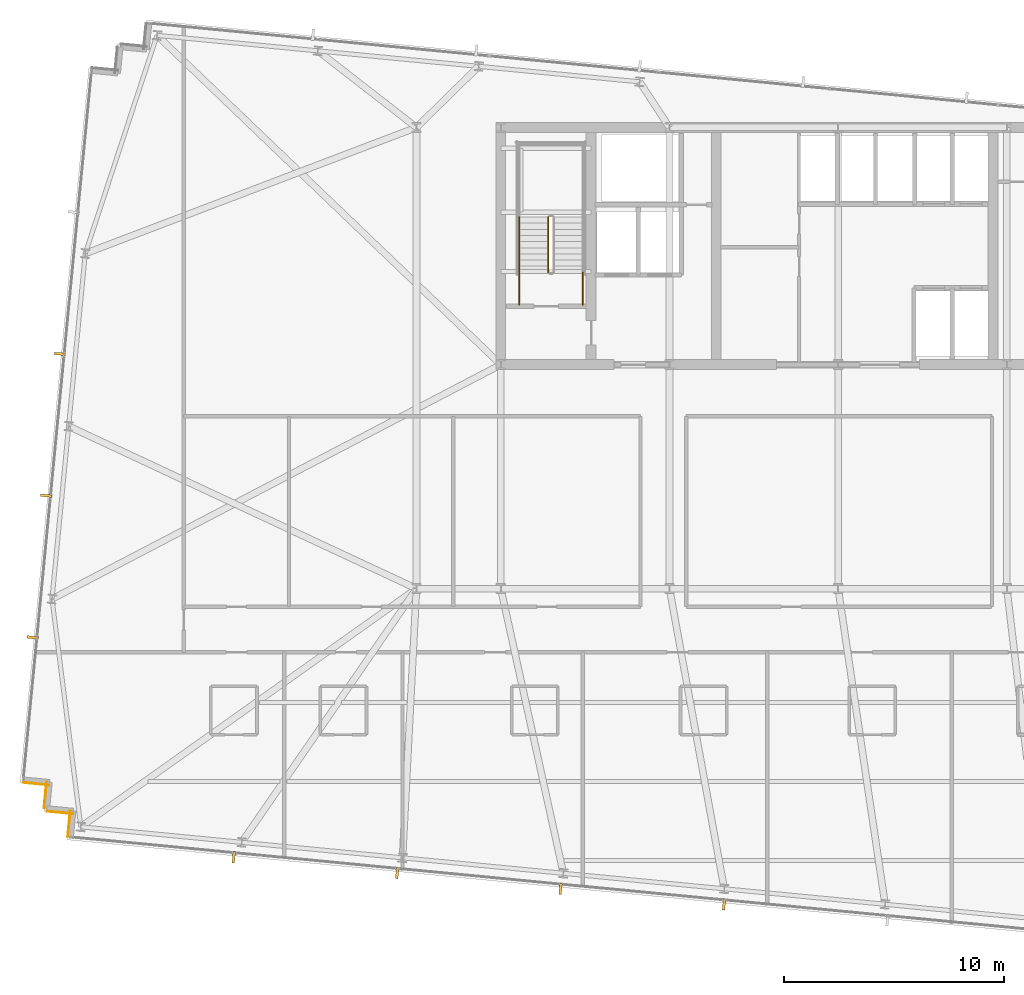
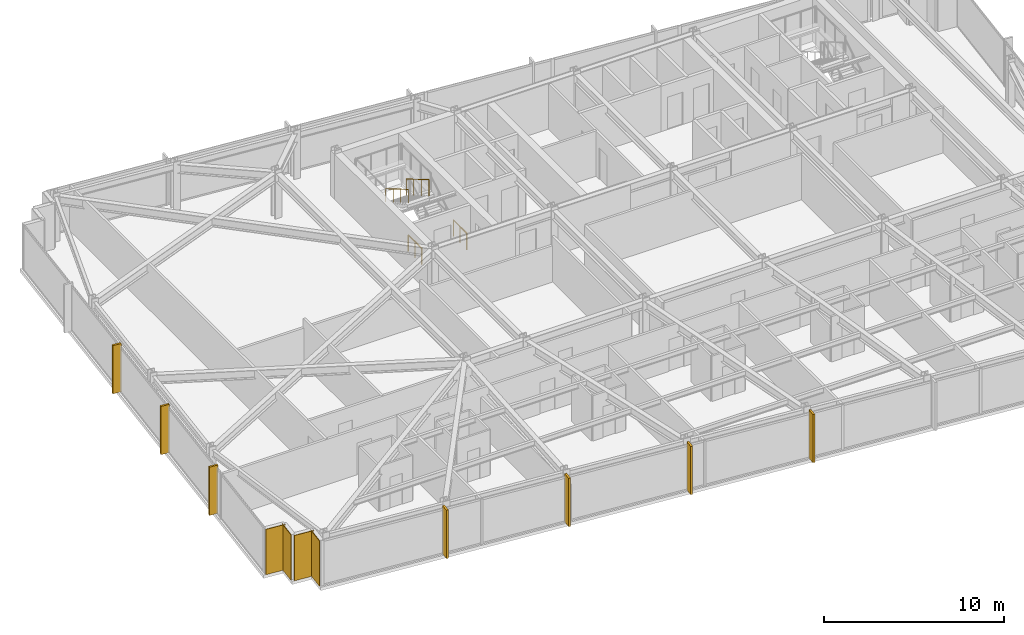
# One storey, part 33 of 37: 7 shading devices, 4 coverings, 4 railings.
"""IFC4 building model written with IfcOpenShell, lengths in metres."""

from ifc_helpers import new_model, si_unit, direction, frame, frame_2d, origin, origin_2d, place, context, subcontext, project, spatial, rectangle, circle, extrude, material, layer, layer_set, type_object, element, save


model = new_model("IFC4")

# Units and contexts
model_context = context("Model", 3, precision=1e-05, world=origin(), true_north=direction((0.0, 1.0)))
body_context = subcontext(model_context, "Body", "Model", "MODEL_VIEW")
ifc_project = project(units=[si_unit("LENGTHUNIT", "METRE"), si_unit("AREAUNIT", "SQUARE_METRE"), si_unit("VOLUMEUNIT", "CUBIC_METRE"), si_unit("PLANEANGLEUNIT", "RADIAN"), si_unit("MASSUNIT", "GRAM", prefix="KILO")], contexts=[model_context])

# Site, building, storey
site_placement = place(None, origin())
site = spatial("IfcSite", under=ifc_project, at=site_placement, CompositionType="ELEMENT")
building_placement = place(site_placement, origin())
building = spatial("IfcBuilding", under=site, at=building_placement, Name="Yelkora Congress Tower", CompositionType="ELEMENT")
storey_placement = place(building_placement, frame((0.0, 0.0, 168.800048828125)))
storey = spatial("IfcBuildingStorey", under=building, at=storey_placement, Name="L46", CompositionType="ELEMENT", Elevation=168.800048828125)

# Coverings
ifc_material_1 = material(Name="Anatolian bush-hammered limestone", Category="masonry")
ifc_layer_1 = layer(ifc_material_1, 0.0400390625)
ifc_layer_set_1 = layer_set([ifc_layer_1], Name="Anatolian bush-hammered limestone")
covering_type = type_object("IfcCoveringType", Name="COV-CLAD-SPANDREL-40", PredefinedType="CLADDING", material=ifc_layer_set_1)
covering_1_placement = place(storey_placement, frame((3.327880859375, 13.90185546875, 0.0), z_axis=(0.0, 0.0, 1.0), x_axis=(0.095817067274, 0.995398960025, 0.0)))
element("IfcCovering", 1, at=covering_1_placement, inside=storey, type_object=covering_type, Name="L46 Anatolian Limestone Cladding EW-L46-SR01", PredefinedType="CLADDING", context=body_context, shape_type="SweptSolid", body=[
    extrude(rectangle(XDim=1.2001953125, YDim=0.0400390625, at=frame_2d((0.60009765625, 0.0))), origin(), (0.0, 0.0, 1.0), 3.079833984375),
])
covering_2_placement = place(storey_placement, frame((3.564208984375, 14.94921875, 0.0), z_axis=(0.0, 0.0, 1.0), x_axis=(-0.995397091755, 0.095836473879, 0.0)))
element("IfcCovering", 2, at=covering_2_placement, inside=storey, type_object=covering_type, Name="L46 Anatolian Limestone Cladding EW-L46-SR02", PredefinedType="CLADDING", context=body_context, shape_type="SweptSolid", body=[
    extrude(rectangle(XDim=1.199951171875, YDim=0.0400390625, at=frame_2d((0.60009765625, 0.0))), origin(), (0.0, 0.0, 1.0), 3.079833984375),
])
for number, where, z_axis, x_axis, name in (
    (3, (2.248291015625, 15.21142578125, 0.0), (0.0, 0.0, 1.0), (0.095817067274, 0.995398960025, 0.0), "L46 Anatolian Limestone Cladding EW-L46-SR03"),
    (4, (2.48486328125, 16.258544921875, 0.0), (0.0, 0.0, 1.0), (-0.995398960025, 0.095817067274, 0.0), "L46 Anatolian Limestone Cladding EW-L46-SR04"),
):
    element("IfcCovering", number, at=place(storey_placement, frame(where, z_axis=z_axis, x_axis=x_axis)), inside=storey, type_object=covering_type, Name=name, PredefinedType="CLADDING", context=body_context, shape_type="SweptSolid", body=[
        extrude(rectangle(XDim=1.2001953125, YDim=0.0400390625, at=frame_2d((0.60009765625, 0.0))), origin(), (0.0, 0.0, 1.0), 3.079833984375),
    ])

# Railings
ifc_material_2 = material(Name="Painted galvanised steel stair well guard with vertical infill", Category="steel")
ifc_layer_2 = layer(ifc_material_2, 0.06005859375)
ifc_layer_set_2 = layer_set([ifc_layer_2], Name="Painted galvanised steel stair well guard with vertical infill")
railing_type_1 = type_object("IfcRailingType", Name="RAIL-STAIR-GUARD-1120", PredefinedType="GUARDRAIL", material=ifc_layer_set_2)
railing_1_placement = place(storey_placement, frame((25.18994140625, 42.1201171875, 1.81494140625)))
element("IfcRailing", 5, at=railing_1_placement, inside=storey, type_object=railing_type_1, Name="ST-01 L46 Stair Well Guardrail 6", PredefinedType="GUARDRAIL", context=body_context, shape_type="SweptSolid", body=[
    extrude(circle(Radius=0.02392578125, at=origin_2d()), frame((0.0, 0.0, 1.09619140625), z_axis=(0.0, -0.86152411907, 0.507716645641), x_axis=(1.0, 0.0, 0.0)), (0.0, 0.0, 1.0), 2.925048828125),
    extrude(circle(Radius=0.02099609375, at=origin_2d()), origin(), (0.0, 0.0, 1.0), 1.072021484375),
    extrude(circle(Radius=0.02099609375, at=origin_2d()), frame((0.0, -0.840087890625, 0.4951171875)), (0.0, 0.0, 1.0), 1.072021484375),
    extrude(circle(Radius=0.02099609375, at=origin_2d()), frame((0.0, -1.679931640625, 0.989990234375)), (0.0, 0.0, 1.0), 1.072021484375),
    extrude(circle(Radius=0.02099609375, at=origin_2d()), frame((0.0, -2.52001953125, 1.485107421875)), (0.0, 0.0, 1.0), 1.072021484375),
])
for number, where, name in (
    (6, (26.77001953125, 38.1201171875, 0.0), "ST-01 L46 Stair Well Guardrail 8"),
    (7, (23.8701171875, 38.1201171875, 0.0), "ST-01 L46 Stair Well Guardrail 9"),
):
    element("IfcRailing", number, at=place(storey_placement, frame(where)), inside=storey, type_object=railing_type_1, Name=name, PredefinedType="GUARDRAIL", context=body_context, shape_type="SweptSolid", body=[
        extrude(circle(Radius=0.02392578125, at=origin_2d()), frame((0.0, 0.0, 1.09619140625), z_axis=(0.0, 1.0, 0.0), x_axis=(-1.0, 0.0, 0.0)), (0.0, 0.0, 1.0), 1.47998046875),
        extrude(circle(Radius=0.02099609375, at=origin_2d()), origin(), (0.0, 0.0, 1.0), 1.072021484375),
        extrude(circle(Radius=0.02099609375, at=origin_2d()), frame((0.0, 0.739990234375, 0.0)), (0.0, 0.0, 1.0), 1.072021484375),
        extrude(circle(Radius=0.02099609375, at=origin_2d()), frame((0.0, 1.47998046875, 0.0)), (0.0, 0.0, 1.0), 1.072021484375),
    ])
ifc_material_3 = material(Name="Brushed stainless steel tubular handrail", Category="steel")
ifc_layer_3 = layer(ifc_material_3, 0.050048828125)
ifc_layer_set_3 = layer_set([ifc_layer_3], Name="Brushed stainless steel tubular handrail")
railing_type_2 = type_object("IfcRailingType", Name="RAIL-STAIR-HAND-920", PredefinedType="HANDRAIL", material=ifc_layer_set_3)
railing_2_placement = place(storey_placement, frame((23.8701171875, 42.1201171875, 1.81494140625)))
element("IfcRailing", 8, at=railing_2_placement, inside=storey, type_object=railing_type_2, Name="ST-01 L46 Pitch Handrail 2", PredefinedType="HANDRAIL", context=body_context, shape_type="SweptSolid", body=[
    extrude(circle(Radius=0.02392578125, at=origin_2d()), frame((0.0, 0.0, 0.89599609375), z_axis=(0.0, -0.86152411907, 0.507716645641), x_axis=(1.0, 0.0, 0.0)), (0.0, 0.0, 1.0), 2.925048828125),
    extrude(circle(Radius=0.02099609375, at=origin_2d()), origin(), (0.0, 0.0, 1.0), 0.871826171875),
    extrude(circle(Radius=0.02099609375, at=origin_2d()), frame((0.0, -0.840087890625, 0.4951171875)), (0.0, 0.0, 1.0), 0.871826171875),
    extrude(circle(Radius=0.02099609375, at=origin_2d()), frame((0.0, -1.679931640625, 0.989990234375)), (0.0, 0.0, 1.0), 0.871826171875),
    extrude(circle(Radius=0.02099609375, at=origin_2d()), frame((0.0, -2.52001953125, 1.485107421875)), (0.0, 0.0, 1.0), 0.871826171875),
])

# Shading devices
ifc_material_4 = material(Name="Champagne anodised aluminium", Category="aluminium")
ifc_layer_4 = layer(ifc_material_4, 3.300048828125)
ifc_layer_set_4 = layer_set([ifc_layer_4], Name="Champagne anodised aluminium")
shading_device_type = type_object("IfcShadingDeviceType", Name="SHD-FIN-ALU-520", PredefinedType="USERDEFINED", material=ifc_layer_set_4)
for number, where, z_axis, x_axis, name in (
    (9, (1.7255859375, 22.981201171875, -0.0302734375), (0.0, 0.0, 1.0), (0.09584575252, 0.995396198367, 0.0), "L46 Vertical Anodised Solar Fin 5-1"),
    (10, (2.34716796875, 29.435302734375, -0.0302734375), (0.0, 0.0, 1.0), (0.09584575252, 0.995396198367, 0.0), "L46 Vertical Anodised Solar Fin 5-2"),
    (11, (2.968505859375, 35.889404296875, -0.0302734375), (0.0, 0.0, 1.0), (0.09584575252, 0.995396198367, 0.0), "L46 Vertical Anodised Solar Fin 5-3"),
    (12, (33.202392578125, 10.82421875, -0.0302734375), (0.0, 0.0, 1.0), (-0.995396198367, 0.09584575252, 0.0), "L46 Vertical Anodised Solar Fin 20-3"),
    (13, (25.7626953125, 11.540771484375, -0.0302734375), (0.0, 0.0, 1.0), (-0.995396198367, 0.09584575252, 0.0), "L46 Vertical Anodised Solar Fin 20-4"),
    (14, (18.32275390625, 12.257080078125, -0.0302734375), (0.0, 0.0, 1.0), (-0.995396198367, 0.09584575252, 0.0), "L46 Vertical Anodised Solar Fin 20-5"),
    (15, (10.8828125, 12.973388671875, -0.0302734375), (0.0, 0.0, 1.0), (-0.995396198367, 0.09584575252, 0.0), "L46 Vertical Anodised Solar Fin 20-6"),
):
    element("IfcShadingDevice", number, at=place(storey_placement, frame(where, z_axis=z_axis, x_axis=x_axis)), inside=storey, type_object=shading_device_type, Name=name, ObjectType="FIN", PredefinedType="USERDEFINED", context=body_context, shape_type="SweptSolid", body=[
        extrude(rectangle(XDim=0.1201171875, YDim=0.52001953125, at=origin_2d()), origin(), (0.0, 0.0, 1.0), 3.280029296875),
    ])

save(model, "model.ifc")
